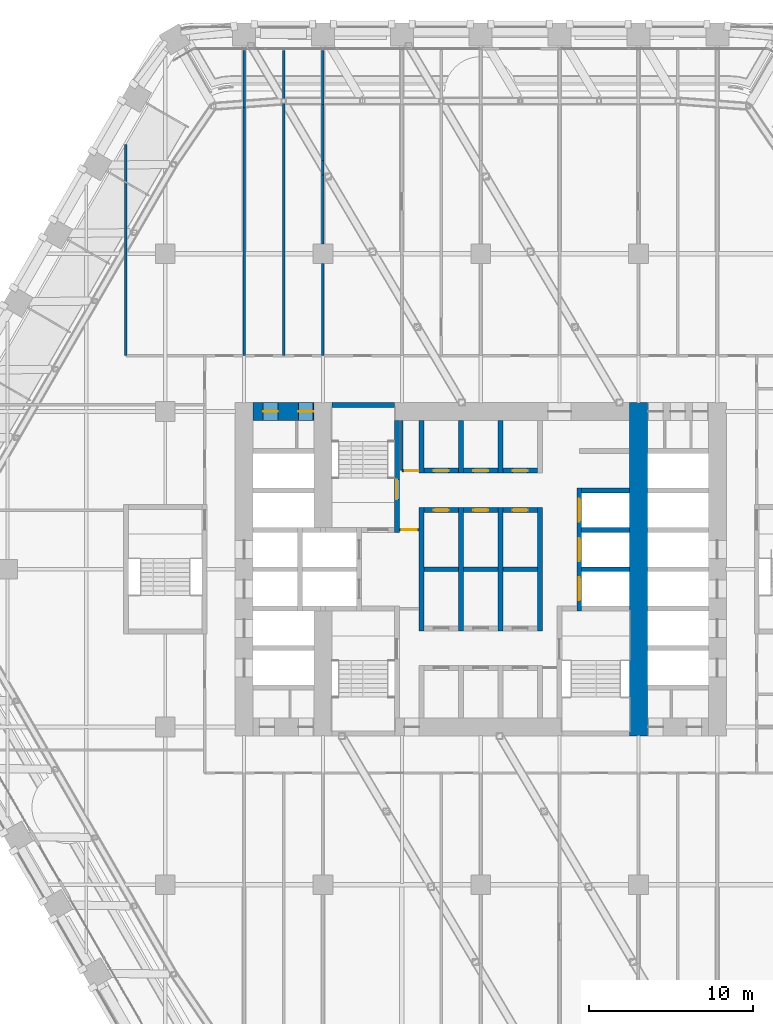
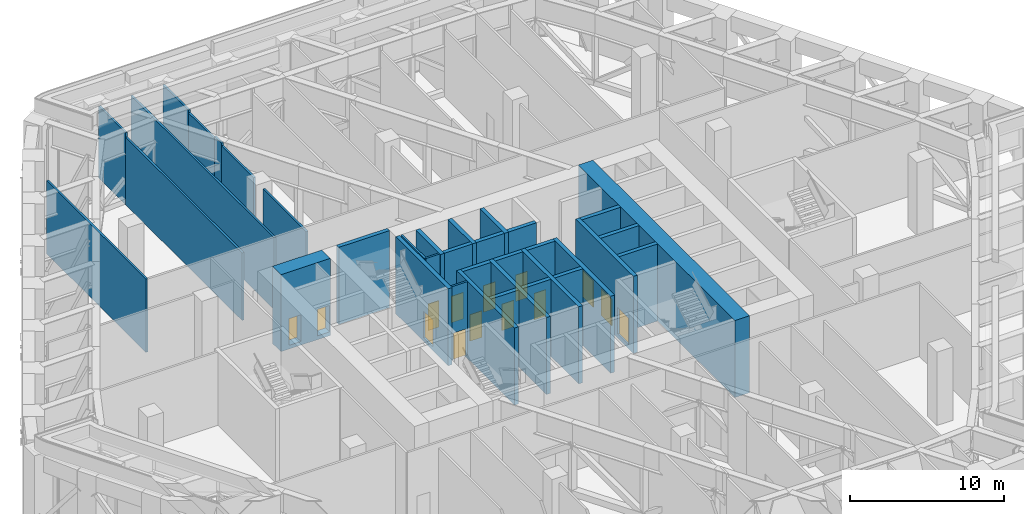
# One storey, part 21 of 35: 36 walls, 14 doors, 14 openings.
"""IFC4 building model written with IfcOpenShell, lengths in metres."""

from ifc_helpers import new_model, si_unit, direction, frame, frame_2d, origin, place, context, subcontext, project, spatial, rectangle, extrude, material, layer, layer_set, type_object, element, fill, save


model = new_model("IFC4")

# Units and contexts
model_context = context("Model", 3, precision=1e-05, world=origin(), true_north=direction((0.0, 1.0)))
body_context = subcontext(model_context, "Body", "Model", "MODEL_VIEW")
ifc_project = project(units=[si_unit("LENGTHUNIT", "METRE"), si_unit("AREAUNIT", "SQUARE_METRE"), si_unit("VOLUMEUNIT", "CUBIC_METRE"), si_unit("PLANEANGLEUNIT", "RADIAN"), si_unit("MASSUNIT", "GRAM", prefix="KILO")], contexts=[model_context])

# Site, building, storey
site_placement = place(None, origin())
site = spatial("IfcSite", under=ifc_project, at=site_placement, CompositionType="ELEMENT")
building_placement = place(site_placement, origin())
building = spatial("IfcBuilding", under=site, at=building_placement, Name="Kolab Exchange Tower", CompositionType="ELEMENT")
storey_placement = place(building_placement, frame((0.0, 0.0, 71.89990234375)))
storey = spatial("IfcBuildingStorey", under=building, at=storey_placement, Name="L13", CompositionType="ELEMENT", Elevation=71.89990234375)

# Wall, openings, doors
ifc_material_1 = material(Name="Concrete C80/95", Category="concrete")
ifc_layer_1 = layer(ifc_material_1, 1.10009765625)
ifc_layer_set_1 = layer_set([ifc_layer_1], Name="Concrete C80/95")
wall_type_1 = type_object("IfcWallType", Name="CORE WALL 1100 C80/95", PredefinedType="SHEAR", material=ifc_layer_set_1)
wall_1_placement = place(storey_placement, frame((-13.85009765625, 9.60009765625, -0.2998046875), z_axis=(0.0, 0.0, 1.0), x_axis=(1.0, 0.0, 0.0)))
wall_1 = element("IfcWall", 1, at=wall_1_placement, inside=storey, type_object=wall_type_1, Name="wall/L13/core/051", PredefinedType="SHEAR", context=body_context, shape_type="SweptSolid", body=[
    extrude(rectangle(XDim=3.7001953125, YDim=1.10009765625, at=frame_2d((1.85009765625, 0.0))), origin(), (0.0, 0.0, 1.0), 6.099853515625),
])
opening_1_placement = place(wall_1_placement, frame((0.60009765625, 0.0, 0.300048828125)))
opening_1 = element("IfcOpeningElement", 2, at=opening_1_placement, cuts=wall_1, Name="Opening D6-182", PredefinedType="OPENING", context=body_context, shape_type="SweptSolid", body=[
    extrude(rectangle(XDim=0.89990234375, YDim=2.10009765625, at=frame_2d((0.449951171875, 1.050048828125))), frame((0.0, 0.56005859375, 0.0), z_axis=(0.0, -1.0, 0.0), x_axis=(1.0, 0.0, 0.0)), (0.0, 0.0, 1.0), 1.1201171875),
])
opening_2_placement = place(wall_1_placement, frame((2.75, 0.0, 0.300048828125)))
opening_2 = element("IfcOpeningElement", 3, at=opening_2_placement, cuts=wall_1, Name="Opening D6-183", PredefinedType="OPENING", context=body_context, shape_type="SweptSolid", body=[
    extrude(rectangle(XDim=0.89990234375, YDim=2.10009765625, at=frame_2d((0.449951171875, 1.050048828125))), frame((0.0, 0.56005859375, 0.0), z_axis=(0.0, -1.0, 0.0), x_axis=(1.0, 0.0, 0.0)), (0.0, 0.0, 1.0), 1.1201171875),
])
ifc_material_2 = material(Name="Steel S235", Category="steel")
door_type_1 = type_object("IfcDoorType", Name="CORE DOOR 900 EI 120", OperationType="SINGLE_SWING_LEFT", PredefinedType="DOOR", material=ifc_material_2)
door_1_placement = place(opening_1_placement, frame((0.89990234375, 0.0, 0.0), z_axis=(0.0, 0.0, 1.0), x_axis=(-1.0, 0.0, 0.0)))
door_1 = element("IfcDoor", 4, at=door_1_placement, inside=storey, type_object=door_type_1, Name="Service room door", OperationType="SINGLE_SWING_RIGHT", OverallHeight=2.10009765625, OverallWidth=0.89990234375, PredefinedType="DOOR", context=body_context, shape_type="SweptSolid", body=[
    extrude(rectangle(XDim=0.89990234375, YDim=2.10009765625, at=frame_2d((0.449951171875, 1.050048828125))), frame((0.0, 0.02490234375, 0.0), z_axis=(0.0, -1.0, 0.0), x_axis=(1.0, 0.0, 0.0)), (0.0, 0.0, 1.0), 0.050048828125),
])
fill(opening_1, door_1)
door_2_placement = place(opening_2_placement, frame((0.89990234375, 0.0, 0.0), z_axis=(0.0, 0.0, 1.0), x_axis=(-1.0, 0.0, 0.0)))
door_2 = element("IfcDoor", 5, at=door_2_placement, inside=storey, type_object=door_type_1, Name="Service room door", OperationType="SINGLE_SWING_LEFT", OverallHeight=2.10009765625, OverallWidth=0.89990234375, PredefinedType="DOOR", context=body_context, shape_type="SweptSolid", body=[
    extrude(rectangle(XDim=0.89990234375, YDim=2.10009765625, at=frame_2d((0.449951171875, 1.050048828125))), frame((0.0, 0.02490234375, 0.0), z_axis=(0.0, -1.0, 0.0), x_axis=(1.0, 0.0, 0.0)), (0.0, 0.0, 1.0), 0.050048828125),
])
fill(opening_2, door_2)

# Walls
wall_2_placement = place(storey_placement, frame((9.60009765625, -10.14990234375, -0.2998046875), z_axis=(0.0, 0.0, 1.0), x_axis=(0.0, 1.0, 0.0)))
element("IfcWall", 6, at=wall_2_placement, inside=storey, type_object=wall_type_1, Name="wall/L13/core/080", PredefinedType="SHEAR", context=body_context, shape_type="SweptSolid", body=[
    extrude(rectangle(XDim=20.2998046875, YDim=1.10009765625, at=frame_2d((10.14990234375, 0.0))), origin(), (0.0, 0.0, 1.0), 6.099853515625),
])
ifc_material_3 = material(Name="Concrete C50/60", Category="concrete")
ifc_layer_2 = layer(ifc_material_3, 0.300048828125)
ifc_layer_set_2 = layer_set([ifc_layer_2], Name="Concrete C50/60")
wall_type_2 = type_object("IfcWallType", Name="LIFT SHAFT WALL 300 C50/60", PredefinedType="STANDARD", material=ifc_layer_set_2)
wall_3_placement = place(storey_placement, frame((-3.449951171875, 0.0, -0.2998046875), z_axis=(0.0, 0.0, 1.0), x_axis=(1.0, 0.0, 0.0)))
element("IfcWall", 7, at=wall_3_placement, inside=storey, type_object=wall_type_2, Name="wall/L13/core/026", PredefinedType="STANDARD", context=body_context, shape_type="SweptSolid", body=[
    extrude(rectangle(XDim=2.099853515625, YDim=0.300048828125, at=frame_2d((1.0498046875, 0.0))), origin(), (0.0, 0.0, 1.0), 6.099853515625),
])
wall_4_placement = place(storey_placement, frame((-1.050048828125, 0.0, -0.2998046875), z_axis=(0.0, 0.0, 1.0), x_axis=(1.0, 0.0, 0.0)))
element("IfcWall", 8, at=wall_4_placement, inside=storey, type_object=wall_type_2, Name="wall/L13/core/027", PredefinedType="STANDARD", context=body_context, shape_type="SweptSolid", body=[
    extrude(rectangle(XDim=2.10009765625, YDim=0.300048828125, at=frame_2d((1.050048828125, 0.0))), origin(), (0.0, 0.0, 1.0), 6.099853515625),
])
wall_5_placement = place(storey_placement, frame((1.35009765625, 0.0, -0.2998046875), z_axis=(0.0, 0.0, 1.0), x_axis=(1.0, 0.0, 0.0)))
element("IfcWall", 9, at=wall_5_placement, inside=storey, type_object=wall_type_2, Name="wall/L13/core/028", PredefinedType="STANDARD", context=body_context, shape_type="SweptSolid", body=[
    extrude(rectangle(XDim=2.099853515625, YDim=0.300048828125, at=frame_2d((1.0498046875, 0.0))), origin(), (0.0, 0.0, 1.0), 6.099853515625),
])
for number, where, z_axis, x_axis, name in (
    (10, (6.14990234375, 0.0, -0.2998046875), (0.0, 0.0, 1.0), (1.0, 0.0, 0.0), "wall/L13/core/029"),
    (11, (6.14990234375, 2.39990234375, -0.2998046875), (0.0, 0.0, 1.0), (1.0, 0.0, 0.0), "wall/L13/core/035"),
):
    element("IfcWall", number, at=place(storey_placement, frame(where, z_axis=z_axis, x_axis=x_axis)), inside=storey, type_object=wall_type_2, Name=name, PredefinedType="STANDARD", context=body_context, shape_type="SweptSolid", body=[
        extrude(rectangle(XDim=2.900146484375, YDim=0.300048828125, at=frame_2d((1.4501953125, 0.0))), origin(), (0.0, 0.0, 1.0), 6.099853515625),
    ])

# Wall, opening, door
wall_6_placement = place(storey_placement, frame((-3.449951171875, 3.60009765625, -0.2998046875), z_axis=(0.0, 0.0, 1.0), x_axis=(1.0, 0.0, 0.0)))
wall_6 = element("IfcWall", 12, at=wall_6_placement, inside=storey, type_object=wall_type_2, Name="wall/L13/core/037", PredefinedType="STANDARD", context=body_context, shape_type="SweptSolid", body=[
    extrude(rectangle(XDim=2.099853515625, YDim=0.300048828125, at=frame_2d((1.0498046875, 0.0))), origin(), (0.0, 0.0, 1.0), 6.099853515625),
])
opening_3_placement = place(wall_6_placement, frame((0.60009765625, 0.0, 0.300048828125)))
opening_3 = element("IfcOpeningElement", 13, at=opening_3_placement, cuts=wall_6, Name="Opening D6-173", PredefinedType="OPENING", context=body_context, shape_type="SweptSolid", body=[
    extrude(rectangle(XDim=0.89990234375, YDim=2.10009765625, at=frame_2d((0.449951171875, 1.050048828125))), frame((0.0, 0.16015625, 0.0), z_axis=(0.0, -1.0, 0.0), x_axis=(1.0, 0.0, 0.0)), (0.0, 0.0, 1.0), 0.320068359375),
])
door_3_placement = place(opening_3_placement, frame((0.89990234375, 0.0, 0.0), z_axis=(0.0, 0.0, 1.0), x_axis=(-1.0, 0.0, 0.0)))
door_3 = element("IfcDoor", 14, at=door_3_placement, inside=storey, type_object=door_type_1, Name="Service room door", OperationType="SINGLE_SWING_LEFT", OverallHeight=2.10009765625, OverallWidth=0.89990234375, PredefinedType="DOOR", context=body_context, shape_type="SweptSolid", body=[
    extrude(rectangle(XDim=0.89990234375, YDim=2.10009765625, at=frame_2d((0.449951171875, 1.050048828125))), frame((0.0, 0.02490234375, 0.0), z_axis=(0.0, -1.0, 0.0), x_axis=(1.0, 0.0, 0.0)), (0.0, 0.0, 1.0), 0.050048828125),
])
fill(opening_3, door_3)

wall_7_placement = place(storey_placement, frame((-1.050048828125, 3.60009765625, -0.2998046875), z_axis=(0.0, 0.0, 1.0), x_axis=(1.0, 0.0, 0.0)))
wall_7 = element("IfcWall", 15, at=wall_7_placement, inside=storey, type_object=wall_type_2, Name="wall/L13/core/038", PredefinedType="STANDARD", context=body_context, shape_type="SweptSolid", body=[
    extrude(rectangle(XDim=2.10009765625, YDim=0.300048828125, at=frame_2d((1.050048828125, 0.0))), origin(), (0.0, 0.0, 1.0), 6.099853515625),
])
opening_4_placement = place(wall_7_placement, frame((0.60009765625, 0.0, 0.300048828125)))
opening_4 = element("IfcOpeningElement", 16, at=opening_4_placement, cuts=wall_7, Name="Opening D6-172", PredefinedType="OPENING", context=body_context, shape_type="SweptSolid", body=[
    extrude(rectangle(XDim=0.89990234375, YDim=2.10009765625, at=frame_2d((0.449951171875, 1.050048828125))), frame((0.0, 0.16015625, 0.0), z_axis=(0.0, -1.0, 0.0), x_axis=(1.0, 0.0, 0.0)), (0.0, 0.0, 1.0), 0.320068359375),
])
door_4_placement = place(opening_4_placement, frame((0.89990234375, 0.0, 0.0), z_axis=(0.0, 0.0, 1.0), x_axis=(-1.0, 0.0, 0.0)))
door_4 = element("IfcDoor", 17, at=door_4_placement, inside=storey, type_object=door_type_1, Name="Service room door", OperationType="SINGLE_SWING_LEFT", OverallHeight=2.10009765625, OverallWidth=0.89990234375, PredefinedType="DOOR", context=body_context, shape_type="SweptSolid", body=[
    extrude(rectangle(XDim=0.89990234375, YDim=2.10009765625, at=frame_2d((0.449951171875, 1.050048828125))), frame((0.0, 0.02490234375, 0.0), z_axis=(0.0, -1.0, 0.0), x_axis=(1.0, 0.0, 0.0)), (0.0, 0.0, 1.0), 0.050048828125),
])
fill(opening_4, door_4)

wall_8_placement = place(storey_placement, frame((1.35009765625, 3.60009765625, -0.2998046875), z_axis=(0.0, 0.0, 1.0), x_axis=(1.0, 0.0, 0.0)))
wall_8 = element("IfcWall", 18, at=wall_8_placement, inside=storey, type_object=wall_type_2, Name="wall/L13/core/039", PredefinedType="STANDARD", context=body_context, shape_type="SweptSolid", body=[
    extrude(rectangle(XDim=2.099853515625, YDim=0.300048828125, at=frame_2d((1.0498046875, 0.0))), origin(), (0.0, 0.0, 1.0), 6.099853515625),
])
opening_5_placement = place(wall_8_placement, frame((0.60009765625, 0.0, 0.300048828125)))
opening_5 = element("IfcOpeningElement", 19, at=opening_5_placement, cuts=wall_8, Name="Opening D6-171", PredefinedType="OPENING", context=body_context, shape_type="SweptSolid", body=[
    extrude(rectangle(XDim=0.89990234375, YDim=2.10009765625, at=frame_2d((0.449951171875, 1.050048828125))), frame((0.0, 0.16015625, 0.0), z_axis=(0.0, -1.0, 0.0), x_axis=(1.0, 0.0, 0.0)), (0.0, 0.0, 1.0), 0.320068359375),
])
door_5_placement = place(opening_5_placement, frame((0.89990234375, 0.0, 0.0), z_axis=(0.0, 0.0, 1.0), x_axis=(-1.0, 0.0, 0.0)))
door_5 = element("IfcDoor", 20, at=door_5_placement, inside=storey, type_object=door_type_1, Name="Service room door", OperationType="SINGLE_SWING_RIGHT", OverallHeight=2.10009765625, OverallWidth=0.89990234375, PredefinedType="DOOR", context=body_context, shape_type="SweptSolid", body=[
    extrude(rectangle(XDim=0.89990234375, YDim=2.10009765625, at=frame_2d((0.449951171875, 1.050048828125))), frame((0.0, 0.02490234375, 0.0), z_axis=(0.0, -1.0, 0.0), x_axis=(1.0, 0.0, 0.0)), (0.0, 0.0, 1.0), 0.050048828125),
])
fill(opening_5, door_5)

# Wall
wall_9_placement = place(storey_placement, frame((6.14990234375, 4.800048828125, -0.2998046875), z_axis=(0.0, 0.0, 1.0), x_axis=(1.0, 0.0, 0.0)))
element("IfcWall", 21, at=wall_9_placement, inside=storey, type_object=wall_type_2, Name="wall/L13/core/043", PredefinedType="STANDARD", context=body_context, shape_type="SweptSolid", body=[
    extrude(rectangle(XDim=2.900146484375, YDim=0.300048828125, at=frame_2d((1.4501953125, 0.0))), origin(), (0.0, 0.0, 1.0), 6.099853515625),
])

# Wall, opening, door
wall_10_placement = place(storey_placement, frame((-3.449951171875, 6.0, -0.2998046875), z_axis=(0.0, 0.0, 1.0), x_axis=(1.0, 0.0, 0.0)))
wall_10 = element("IfcWall", 22, at=wall_10_placement, inside=storey, type_object=wall_type_2, Name="wall/L13/core/045", PredefinedType="STANDARD", context=body_context, shape_type="SweptSolid", body=[
    extrude(rectangle(XDim=2.099853515625, YDim=0.300048828125, at=frame_2d((1.0498046875, 0.0))), origin(), (0.0, 0.0, 1.0), 6.099853515625),
])
opening_6_placement = place(wall_10_placement, frame((0.60009765625, 0.0, 0.300048828125)))
opening_6 = element("IfcOpeningElement", 23, at=opening_6_placement, cuts=wall_10, Name="Opening D6-170", PredefinedType="OPENING", context=body_context, shape_type="SweptSolid", body=[
    extrude(rectangle(XDim=0.89990234375, YDim=2.10009765625, at=frame_2d((0.449951171875, 1.050048828125))), frame((0.0, 0.16015625, 0.0), z_axis=(0.0, -1.0, 0.0), x_axis=(1.0, 0.0, 0.0)), (0.0, 0.0, 1.0), 0.320068359375),
])
door_6_placement = place(opening_6_placement, origin())
door_6 = element("IfcDoor", 24, at=door_6_placement, inside=storey, type_object=door_type_1, Name="Service room door", OperationType="SINGLE_SWING_LEFT", OverallHeight=2.10009765625, OverallWidth=0.89990234375, PredefinedType="DOOR", context=body_context, shape_type="SweptSolid", body=[
    extrude(rectangle(XDim=0.89990234375, YDim=2.10009765625, at=frame_2d((0.449951171875, 1.050048828125))), frame((0.0, 0.02490234375, 0.0), z_axis=(0.0, -1.0, 0.0), x_axis=(1.0, 0.0, 0.0)), (0.0, 0.0, 1.0), 0.050048828125),
])
fill(opening_6, door_6)

wall_11_placement = place(storey_placement, frame((-1.050048828125, 6.0, -0.2998046875), z_axis=(0.0, 0.0, 1.0), x_axis=(1.0, 0.0, 0.0)))
wall_11 = element("IfcWall", 25, at=wall_11_placement, inside=storey, type_object=wall_type_2, Name="wall/L13/core/046", PredefinedType="STANDARD", context=body_context, shape_type="SweptSolid", body=[
    extrude(rectangle(XDim=2.10009765625, YDim=0.300048828125, at=frame_2d((1.050048828125, 0.0))), origin(), (0.0, 0.0, 1.0), 6.099853515625),
])
opening_7_placement = place(wall_11_placement, frame((0.60009765625, 0.0, 0.300048828125)))
opening_7 = element("IfcOpeningElement", 26, at=opening_7_placement, cuts=wall_11, Name="Opening D6-169", PredefinedType="OPENING", context=body_context, shape_type="SweptSolid", body=[
    extrude(rectangle(XDim=0.89990234375, YDim=2.10009765625, at=frame_2d((0.449951171875, 1.050048828125))), frame((0.0, 0.16015625, 0.0), z_axis=(0.0, -1.0, 0.0), x_axis=(1.0, 0.0, 0.0)), (0.0, 0.0, 1.0), 0.320068359375),
])
door_7_placement = place(opening_7_placement, origin())
door_7 = element("IfcDoor", 27, at=door_7_placement, inside=storey, type_object=door_type_1, Name="Service room door", OperationType="SINGLE_SWING_LEFT", OverallHeight=2.10009765625, OverallWidth=0.89990234375, PredefinedType="DOOR", context=body_context, shape_type="SweptSolid", body=[
    extrude(rectangle(XDim=0.89990234375, YDim=2.10009765625, at=frame_2d((0.449951171875, 1.050048828125))), frame((0.0, 0.02490234375, 0.0), z_axis=(0.0, -1.0, 0.0), x_axis=(1.0, 0.0, 0.0)), (0.0, 0.0, 1.0), 0.050048828125),
])
fill(opening_7, door_7)

wall_12_placement = place(storey_placement, frame((1.35009765625, 6.0, -0.2998046875), z_axis=(0.0, 0.0, 1.0), x_axis=(1.0, 0.0, 0.0)))
wall_12 = element("IfcWall", 28, at=wall_12_placement, inside=storey, type_object=wall_type_2, Name="wall/L13/core/047", PredefinedType="STANDARD", context=body_context, shape_type="SweptSolid", body=[
    extrude(rectangle(XDim=2.099853515625, YDim=0.300048828125, at=frame_2d((1.0498046875, 0.0))), origin(), (0.0, 0.0, 1.0), 6.099853515625),
])
opening_8_placement = place(wall_12_placement, frame((0.60009765625, 0.0, 0.300048828125)))
opening_8 = element("IfcOpeningElement", 29, at=opening_8_placement, cuts=wall_12, Name="Opening D6-168", PredefinedType="OPENING", context=body_context, shape_type="SweptSolid", body=[
    extrude(rectangle(XDim=0.89990234375, YDim=2.10009765625, at=frame_2d((0.449951171875, 1.050048828125))), frame((0.0, 0.16015625, 0.0), z_axis=(0.0, -1.0, 0.0), x_axis=(1.0, 0.0, 0.0)), (0.0, 0.0, 1.0), 0.320068359375),
])
door_8_placement = place(opening_8_placement, origin())
door_8 = element("IfcDoor", 30, at=door_8_placement, inside=storey, type_object=door_type_1, Name="Service room door", OperationType="SINGLE_SWING_RIGHT", OverallHeight=2.10009765625, OverallWidth=0.89990234375, PredefinedType="DOOR", context=body_context, shape_type="SweptSolid", body=[
    extrude(rectangle(XDim=0.89990234375, YDim=2.10009765625, at=frame_2d((0.449951171875, 1.050048828125))), frame((0.0, 0.02490234375, 0.0), z_axis=(0.0, -1.0, 0.0), x_axis=(1.0, 0.0, 0.0)), (0.0, 0.0, 1.0), 0.050048828125),
])
fill(opening_8, door_8)

# Walls
wall_13_placement = place(storey_placement, frame((-3.60009765625, -3.75, -0.2998046875), z_axis=(0.0, 0.0, 1.0), x_axis=(0.0, 1.0, 0.0)))
element("IfcWall", 31, at=wall_13_placement, inside=storey, type_object=wall_type_2, Name="wall/L13/core/067", PredefinedType="STANDARD", context=body_context, shape_type="SweptSolid", body=[
    extrude(rectangle(XDim=7.5, YDim=0.300048828125, at=frame_2d((3.75, 0.0))), origin(), (0.0, 0.0, 1.0), 6.099853515625),
])
wall_14_placement = place(storey_placement, frame((-3.60009765625, 5.85009765625, -0.2998046875), z_axis=(0.0, 0.0, 1.0), x_axis=(0.0, 1.0, 0.0)))
element("IfcWall", 32, at=wall_14_placement, inside=storey, type_object=wall_type_2, Name="wall/L13/core/068", PredefinedType="STANDARD", context=body_context, shape_type="SweptSolid", body=[
    extrude(rectangle(XDim=3.199951171875, YDim=0.300048828125, at=frame_2d((1.60009765625, 0.0))), origin(), (0.0, 0.0, 1.0), 6.099853515625),
])
wall_15_placement = place(storey_placement, frame((-1.199951171875, -3.75, -0.2998046875), z_axis=(0.0, 0.0, 1.0), x_axis=(0.0, 1.0, 0.0)))
element("IfcWall", 33, at=wall_15_placement, inside=storey, type_object=wall_type_2, Name="wall/L13/core/070", PredefinedType="STANDARD", context=body_context, shape_type="SweptSolid", body=[
    extrude(rectangle(XDim=7.5, YDim=0.300048828125, at=frame_2d((3.75, 0.0))), origin(), (0.0, 0.0, 1.0), 6.099853515625),
])
wall_16_placement = place(storey_placement, frame((-1.199951171875, 5.85009765625, -0.2998046875), z_axis=(0.0, 0.0, 1.0), x_axis=(0.0, 1.0, 0.0)))
element("IfcWall", 34, at=wall_16_placement, inside=storey, type_object=wall_type_2, Name="wall/L13/core/071", PredefinedType="STANDARD", context=body_context, shape_type="SweptSolid", body=[
    extrude(rectangle(XDim=3.199951171875, YDim=0.300048828125, at=frame_2d((1.60009765625, 0.0))), origin(), (0.0, 0.0, 1.0), 6.099853515625),
])
wall_17_placement = place(storey_placement, frame((1.199951171875, -3.75, -0.2998046875), z_axis=(0.0, 0.0, 1.0), x_axis=(0.0, 1.0, 0.0)))
element("IfcWall", 35, at=wall_17_placement, inside=storey, type_object=wall_type_2, Name="wall/L13/core/073", PredefinedType="STANDARD", context=body_context, shape_type="SweptSolid", body=[
    extrude(rectangle(XDim=7.5, YDim=0.300048828125, at=frame_2d((3.75, 0.0))), origin(), (0.0, 0.0, 1.0), 6.099853515625),
])
wall_18_placement = place(storey_placement, frame((1.199951171875, 5.85009765625, -0.2998046875), z_axis=(0.0, 0.0, 1.0), x_axis=(0.0, 1.0, 0.0)))
element("IfcWall", 36, at=wall_18_placement, inside=storey, type_object=wall_type_2, Name="wall/L13/core/074", PredefinedType="STANDARD", context=body_context, shape_type="SweptSolid", body=[
    extrude(rectangle(XDim=3.199951171875, YDim=0.300048828125, at=frame_2d((1.60009765625, 0.0))), origin(), (0.0, 0.0, 1.0), 6.099853515625),
])
wall_19_placement = place(storey_placement, frame((3.60009765625, -3.75, -0.2998046875), z_axis=(0.0, 0.0, 1.0), x_axis=(0.0, 1.0, 0.0)))
element("IfcWall", 37, at=wall_19_placement, inside=storey, type_object=wall_type_2, Name="wall/L13/core/076", PredefinedType="STANDARD", context=body_context, shape_type="SweptSolid", body=[
    extrude(rectangle(XDim=7.5, YDim=0.300048828125, at=frame_2d((3.75, 0.0))), origin(), (0.0, 0.0, 1.0), 6.099853515625),
])

# Wall, openings, doors
wall_20_placement = place(storey_placement, frame((6.0, -2.550048828125, -0.2998046875), z_axis=(0.0, 0.0, 1.0), x_axis=(0.0, 1.0, 0.0)))
wall_20 = element("IfcWall", 38, at=wall_20_placement, inside=storey, type_object=wall_type_2, Name="wall/L13/core/079", PredefinedType="STANDARD", context=body_context, shape_type="SweptSolid", body=[
    extrude(rectangle(XDim=7.5, YDim=0.300048828125, at=frame_2d((3.75, 0.0))), origin(), (0.0, 0.0, 1.0), 6.099853515625),
])
opening_9_placement = place(wall_20_placement, frame((0.64990234375, 0.0, 0.300048828125)))
opening_9 = element("IfcOpeningElement", 39, at=opening_9_placement, cuts=wall_20, Name="Opening LD3-022", PredefinedType="OPENING", context=body_context, shape_type="SweptSolid", body=[
    extrude(rectangle(XDim=1.39990234375, YDim=2.10009765625, at=frame_2d((0.699951171875, 1.050048828125))), frame((0.0, 0.16015625, 0.0), z_axis=(0.0, -1.0, 0.0), x_axis=(1.0, 0.0, 0.0)), (0.0, 0.0, 1.0), 0.320068359375),
])
opening_10_placement = place(wall_20_placement, frame((3.050048828125, 0.0, 0.300048828125)))
opening_10 = element("IfcOpeningElement", 40, at=opening_10_placement, cuts=wall_20, Name="Opening LD3-023", PredefinedType="OPENING", context=body_context, shape_type="SweptSolid", body=[
    extrude(rectangle(XDim=1.39990234375, YDim=2.10009765625, at=frame_2d((0.699951171875, 1.050048828125))), frame((0.0, 0.16015625, 0.0), z_axis=(0.0, -1.0, 0.0), x_axis=(1.0, 0.0, 0.0)), (0.0, 0.0, 1.0), 0.320068359375),
])
opening_11_placement = place(wall_20_placement, frame((5.449951171875, 0.0, 0.300048828125)))
opening_11 = element("IfcOpeningElement", 41, at=opening_11_placement, cuts=wall_20, Name="Opening LD3-024", PredefinedType="OPENING", context=body_context, shape_type="SweptSolid", body=[
    extrude(rectangle(XDim=1.39990234375, YDim=2.10009765625, at=frame_2d((0.699951171875, 1.050048828125))), frame((0.0, 0.16015625, 0.0), z_axis=(0.0, -1.0, 0.0), x_axis=(1.0, 0.0, 0.0)), (0.0, 0.0, 1.0), 0.320068359375),
])
ifc_material_4 = material(Name="Stainless steel 316", Category="steel")
door_type_2 = type_object("IfcDoorType", Name="LANDING DOOR 1400 SERVICE", OperationType="DOUBLE_DOOR_SLIDING", PredefinedType="DOOR", material=ifc_material_4)
door_9_placement = place(opening_9_placement, origin())
door_9 = element("IfcDoor", 42, at=door_9_placement, inside=storey, type_object=door_type_2, Name="Landing door SV1", OperationType="DOUBLE_DOOR_SLIDING", OverallHeight=2.10009765625, OverallWidth=1.39990234375, PredefinedType="DOOR", context=body_context, shape_type="SweptSolid", body=[
    extrude(rectangle(XDim=1.39990234375, YDim=2.10009765625, at=frame_2d((0.699951171875, 1.050048828125))), frame((0.0, 0.02490234375, 0.0), z_axis=(0.0, -1.0, 0.0), x_axis=(1.0, 0.0, 0.0)), (0.0, 0.0, 1.0), 0.050048828125),
])
fill(opening_9, door_9)
door_10_placement = place(opening_10_placement, origin())
door_10 = element("IfcDoor", 43, at=door_10_placement, inside=storey, type_object=door_type_2, Name="Landing door SV2", OperationType="DOUBLE_DOOR_SLIDING", OverallHeight=2.10009765625, OverallWidth=1.39990234375, PredefinedType="DOOR", context=body_context, shape_type="SweptSolid", body=[
    extrude(rectangle(XDim=1.39990234375, YDim=2.10009765625, at=frame_2d((0.699951171875, 1.050048828125))), frame((0.0, 0.02490234375, 0.0), z_axis=(0.0, -1.0, 0.0), x_axis=(1.0, 0.0, 0.0)), (0.0, 0.0, 1.0), 0.050048828125),
])
fill(opening_10, door_10)
door_11_placement = place(opening_11_placement, origin())
door_11 = element("IfcDoor", 44, at=door_11_placement, inside=storey, type_object=door_type_2, Name="Landing door SV3", OperationType="DOUBLE_DOOR_SLIDING", OverallHeight=2.10009765625, OverallWidth=1.39990234375, PredefinedType="DOOR", context=body_context, shape_type="SweptSolid", body=[
    extrude(rectangle(XDim=1.39990234375, YDim=2.10009765625, at=frame_2d((0.699951171875, 1.050048828125))), frame((0.0, 0.02490234375, 0.0), z_axis=(0.0, -1.0, 0.0), x_axis=(1.0, 0.0, 0.0)), (0.0, 0.0, 1.0), 0.050048828125),
])
fill(opening_11, door_11)

# Walls
ifc_material_5 = material(Name="Gypsum board", Category="gypsum")
ifc_layer_3 = layer(ifc_material_5, 0.14990234375)
ifc_layer_set_3 = layer_set([ifc_layer_3], Name="Gypsum board")
wall_type_3 = type_object("IfcWallType", Name="PARTITION 150 FIRE-RATED", PredefinedType="PARTITIONING", material=ifc_layer_set_3)
wall_21_placement = place(storey_placement, frame((-4.800048828125, 6.0, 0.0), z_axis=(0.0, 0.0, 1.0), x_axis=(0.0, 1.0, 0.0)))
element("IfcWall", 45, at=wall_21_placement, inside=storey, type_object=wall_type_3, Name="Partition 023", PredefinedType="PARTITIONING", context=body_context, shape_type="SweptSolid", body=[
    extrude(rectangle(XDim=3.050048828125, YDim=0.14990234375, at=frame_2d((1.52490234375, 0.0))), origin(), (0.0, 0.0, 1.0), 5.800048828125),
])
wall_22_placement = place(storey_placement, frame((-9.60009765625, 13.0, 0.0), z_axis=(0.0, 0.0, 1.0), x_axis=(0.0, 1.0, 0.0)))
element("IfcWall", 46, at=wall_22_placement, inside=storey, type_object=wall_type_3, Name="Partition 027", PredefinedType="PARTITIONING", context=body_context, shape_type="SweptSolid", body=[
    extrude(rectangle(XDim=5.60009765625, YDim=0.14990234375, at=frame_2d((2.800048828125, 0.0))), origin(), (0.0, 0.0, 1.0), 5.343017578125),
])
wall_23_placement = place(storey_placement, frame((-9.60009765625, 19.800048828125, 0.0), z_axis=(0.0, 0.0, 1.0), x_axis=(0.0, 1.0, 0.0)))
element("IfcWall", 47, at=wall_23_placement, inside=storey, type_object=wall_type_3, Name="Partition 028", PredefinedType="PARTITIONING", context=body_context, shape_type="SweptSolid", body=[
    extrude(rectangle(XDim=4.1904296875, YDim=0.14990234375, at=frame_2d((2.09521484375, 0.0))), origin(), (0.0, 0.0, 1.0), 5.489990234375),
])
wall_24_placement = place(storey_placement, frame((-9.60009765625, 23.990478515625, 0.0), z_axis=(0.0, 0.0, 1.0), x_axis=(0.0, 1.0, 0.0)))
element("IfcWall", 48, at=wall_24_placement, inside=storey, type_object=wall_type_3, Name="Partition 028", PredefinedType="PARTITIONING", context=body_context, shape_type="SweptSolid", body=[
    extrude(rectangle(XDim=0.902099609375, YDim=0.14990234375, at=frame_2d((0.451171875, 0.0))), origin(), (0.0, 0.0, 1.0), 5.7001953125),
])
wall_25_placement = place(storey_placement, frame((-9.60009765625, 24.892578125, 0.0), z_axis=(0.0, 0.0, 1.0), x_axis=(0.0, 1.0, 0.0)))
element("IfcWall", 49, at=wall_25_placement, inside=storey, type_object=wall_type_3, Name="Partition 028", PredefinedType="PARTITIONING", context=body_context, shape_type="SweptSolid", body=[
    extrude(rectangle(XDim=3.39599609375, YDim=0.14990234375, at=frame_2d((1.697998046875, 0.0))), origin(), (0.0, 0.0, 1.0), 5.489990234375),
])
wall_26_placement = place(storey_placement, frame((-9.60009765625, 28.28857421875, 0.0), z_axis=(0.0, 0.0, 1.0), x_axis=(0.0, 1.0, 0.0)))
element("IfcWall", 50, at=wall_26_placement, inside=storey, type_object=wall_type_3, Name="Partition 028", PredefinedType="PARTITIONING", context=body_context, shape_type="SweptSolid", body=[
    extrude(rectangle(XDim=3.296875, YDim=0.14990234375, at=frame_2d((1.6484375, 0.0))), origin(), (0.0, 0.0, 1.0), 5.7001953125),
])
wall_27_placement = place(storey_placement, frame((-12.0, 13.0, 0.0), z_axis=(0.0, 0.0, 1.0), x_axis=(0.0, 1.0, 0.0)))
element("IfcWall", 51, at=wall_27_placement, inside=storey, type_object=wall_type_3, Name="Partition 032", PredefinedType="PARTITIONING", context=body_context, shape_type="SweptSolid", body=[
    extrude(rectangle(XDim=18.58544921875, YDim=0.14990234375, at=frame_2d((9.292724609375, 0.0))), origin(), (0.0, 0.0, 1.0), 5.7001953125),
])
wall_28_placement = place(storey_placement, frame((-14.39990234375, 13.0, 0.0), z_axis=(0.0, 0.0, 1.0), x_axis=(0.0, 1.0, 0.0)))
element("IfcWall", 52, at=wall_28_placement, inside=storey, type_object=wall_type_3, Name="Partition 034", PredefinedType="PARTITIONING", context=body_context, shape_type="SweptSolid", body=[
    extrude(rectangle(XDim=15.10693359375, YDim=0.14990234375, at=frame_2d((7.553466796875, 0.0))), origin(), (0.0, 0.0, 1.0), 5.343017578125),
])
wall_29_placement = place(storey_placement, frame((-14.39990234375, 28.10693359375, 0.0), z_axis=(0.0, 0.0, 1.0), x_axis=(0.0, 1.0, 0.0)))
element("IfcWall", 53, at=wall_29_placement, inside=storey, type_object=wall_type_3, Name="Partition 034", PredefinedType="PARTITIONING", context=body_context, shape_type="SweptSolid", body=[
    extrude(rectangle(XDim=3.478515625, YDim=0.14990234375, at=frame_2d((1.7392578125, 0.0))), origin(), (0.0, 0.0, 1.0), 5.7001953125),
])
wall_30_placement = place(storey_placement, frame((-21.60009765625, 13.0, 0.0), z_axis=(0.0, 0.0, 1.0), x_axis=(0.0, 1.0, 0.0)))
element("IfcWall", 54, at=wall_30_placement, inside=storey, type_object=wall_type_3, Name="Partition 037", PredefinedType="PARTITIONING", context=body_context, shape_type="SweptSolid", body=[
    extrude(rectangle(XDim=12.8583984375, YDim=0.14990234375, at=frame_2d((6.42919921875, 0.0))), origin(), (0.0, 0.0, 1.0), 5.800048828125),
])

# Wall, opening, door
wall_31_placement = place(storey_placement, frame((-4.800048828125, 6.0, 0.0), z_axis=(0.0, 0.0, 1.0), x_axis=(1.0, 0.0, 0.0)))
wall_31 = element("IfcWall", 55, at=wall_31_placement, inside=storey, type_object=wall_type_3, Name="Partition 046", PredefinedType="PARTITIONING", context=body_context, shape_type="SweptSolid", body=[
    extrude(rectangle(XDim=1.050048828125, YDim=0.14990234375, at=frame_2d((0.52490234375, 0.0))), origin(), (0.0, 0.0, 1.0), 5.800048828125),
])
opening_12_placement = place(wall_31_placement, frame((0.199951171875, 0.0, 0.0)))
opening_12 = element("IfcOpeningElement", 56, at=opening_12_placement, cuts=wall_31, Name="Opening D7-016", PredefinedType="OPENING", context=body_context, shape_type="SweptSolid", body=[
    extrude(rectangle(XDim=0.800048828125, YDim=2.10009765625, at=frame_2d((0.39990234375, 1.050048828125))), frame((0.0, 0.0849609375, 0.0), z_axis=(0.0, -1.0, 0.0), x_axis=(1.0, 0.0, 0.0)), (0.0, 0.0, 1.0), 0.169921875),
])
door_type_3 = type_object("IfcDoorType", Name="FLUSH DOOR 800 FD60", OperationType="SINGLE_SWING_LEFT", PredefinedType="DOOR", material=ifc_material_2)
door_12_placement = place(opening_12_placement, origin())
door_12 = element("IfcDoor", 57, at=door_12_placement, inside=storey, type_object=door_type_3, Name="Door L13-042", OperationType="SINGLE_SWING_RIGHT", OverallHeight=2.10009765625, OverallWidth=0.800048828125, PredefinedType="DOOR", context=body_context, shape_type="SweptSolid", body=[
    extrude(rectangle(XDim=0.800048828125, YDim=2.10009765625, at=frame_2d((0.39990234375, 1.050048828125))), frame((0.0, 0.02490234375, 0.0), z_axis=(0.0, -1.0, 0.0), x_axis=(1.0, 0.0, 0.0)), (0.0, 0.0, 1.0), 0.050048828125),
])
fill(opening_12, door_12)

wall_32_placement = place(storey_placement, frame((-4.949951171875, 2.39990234375, 0.0), z_axis=(0.0, 0.0, 1.0), x_axis=(1.0, 0.0, 0.0)))
wall_32 = element("IfcWall", 58, at=wall_32_placement, inside=storey, type_object=wall_type_3, Name="Fire partition", PredefinedType="PARTITIONING", context=body_context, shape_type="SweptSolid", body=[
    extrude(rectangle(XDim=1.199951171875, YDim=0.14990234375, at=frame_2d((0.60009765625, 0.0))), origin(), (0.0, 0.0, 1.0), 5.800048828125),
])
opening_13_placement = place(wall_32_placement, frame((0.14990234375, 0.0, 0.0)))
opening_13 = element("IfcOpeningElement", 59, at=opening_13_placement, cuts=wall_32, Name="Opening D6-181", PredefinedType="OPENING", context=body_context, shape_type="SweptSolid", body=[
    extrude(rectangle(XDim=0.89990234375, YDim=2.10009765625, at=frame_2d((0.449951171875, 1.050048828125))), frame((0.0, 0.0849609375, 0.0), z_axis=(0.0, -1.0, 0.0), x_axis=(1.0, 0.0, 0.0)), (0.0, 0.0, 1.0), 0.169921875),
])
door_13_placement = place(opening_13_placement, frame((0.89990234375, 0.0, 0.0), z_axis=(0.0, 0.0, 1.0), x_axis=(-1.0, 0.0, 0.0)))
door_13 = element("IfcDoor", 60, at=door_13_placement, inside=storey, type_object=door_type_1, Name="Firefighting lobby door", OperationType="SINGLE_SWING_RIGHT", OverallHeight=2.10009765625, OverallWidth=0.89990234375, PredefinedType="DOOR", context=body_context, shape_type="SweptSolid", body=[
    extrude(rectangle(XDim=0.89990234375, YDim=2.10009765625, at=frame_2d((0.449951171875, 1.050048828125))), frame((0.0, 0.02490234375, 0.0), z_axis=(0.0, -1.0, 0.0), x_axis=(1.0, 0.0, 0.0)), (0.0, 0.0, 1.0), 0.050048828125),
])
fill(opening_13, door_13)

# Wall
ifc_layer_4 = layer(ifc_material_3, 0.300048828125)
ifc_layer_set_4 = layer_set([ifc_layer_4], Name="Concrete C50/60")
wall_type_4 = type_object("IfcWallType", Name="STAIR ENCLOSURE WALL 300 C50/60", PredefinedType="STANDARD", material=ifc_layer_set_4)
wall_33_placement = place(storey_placement, frame((-9.050048828125, 10.0, -0.2998046875), z_axis=(0.0, 0.0, 1.0), x_axis=(1.0, 0.0, 0.0)))
element("IfcWall", 61, at=wall_33_placement, inside=storey, type_object=wall_type_4, Name="wall/L13/core/054", PredefinedType="STANDARD", context=body_context, shape_type="SweptSolid", body=[
    extrude(rectangle(XDim=3.800048828125, YDim=0.300048828125, at=frame_2d((1.89990234375, 0.0))), origin(), (0.0, 0.0, 1.0), 6.099853515625),
])

# Wall, opening, door
wall_34_placement = place(storey_placement, frame((-5.10009765625, 2.25, -0.2998046875), z_axis=(0.0, 0.0, 1.0), x_axis=(0.0, 1.0, 0.0)))
wall_34 = element("IfcWall", 62, at=wall_34_placement, inside=storey, type_object=wall_type_4, Name="wall/L13/core/065", PredefinedType="STANDARD", context=body_context, shape_type="SweptSolid", body=[
    extrude(rectangle(XDim=6.800048828125, YDim=0.300048828125, at=frame_2d((3.39990234375, 0.0))), origin(), (0.0, 0.0, 1.0), 6.099853515625),
])
opening_14_placement = place(wall_34_placement, frame((2.0, 0.0, 0.300048828125)))
opening_14 = element("IfcOpeningElement", 63, at=opening_14_placement, cuts=wall_34, Name="Opening D4-038", PredefinedType="OPENING", context=body_context, shape_type="SweptSolid", body=[
    extrude(rectangle(XDim=1.199951171875, YDim=2.10009765625, at=frame_2d((0.60009765625, 1.050048828125))), frame((0.0, 0.16015625, 0.0), z_axis=(0.0, -1.0, 0.0), x_axis=(1.0, 0.0, 0.0)), (0.0, 0.0, 1.0), 0.320068359375),
])
door_type_4 = type_object("IfcDoorType", Name="STAIR DOOR 1200 EI 120", OperationType="SINGLE_SWING_LEFT", PredefinedType="DOOR", material=ifc_material_2)
door_14_placement = place(opening_14_placement, origin())
door_14 = element("IfcDoor", 64, at=door_14_placement, inside=storey, type_object=door_type_4, Name="Stair 1 door", OperationType="SINGLE_SWING_LEFT", OverallHeight=2.10009765625, OverallWidth=1.199951171875, PredefinedType="DOOR", context=body_context, shape_type="SweptSolid", body=[
    extrude(rectangle(XDim=1.199951171875, YDim=2.10009765625, at=frame_2d((0.60009765625, 1.050048828125))), frame((0.0, 0.02490234375, 0.0), z_axis=(0.0, -1.0, 0.0), x_axis=(1.0, 0.0, 0.0)), (0.0, 0.0, 1.0), 0.050048828125),
])
fill(opening_14, door_14)

save(model, "model.ifc")
